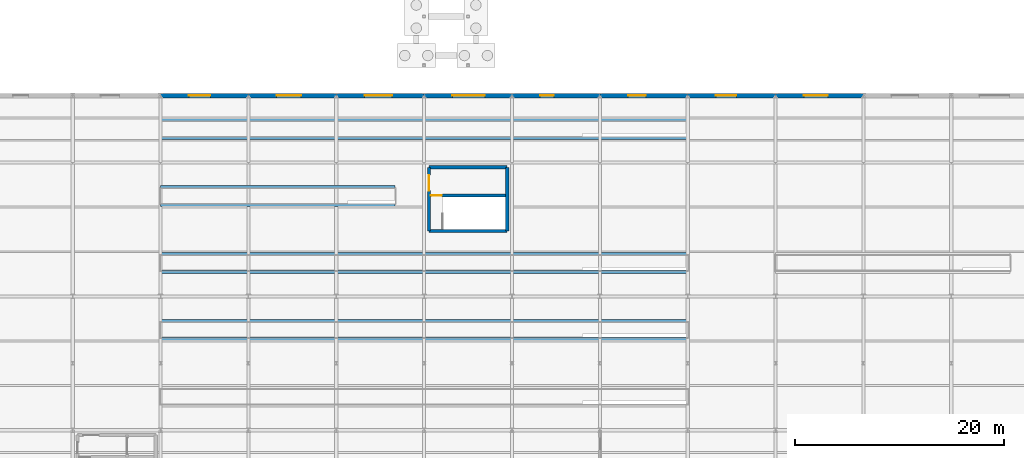
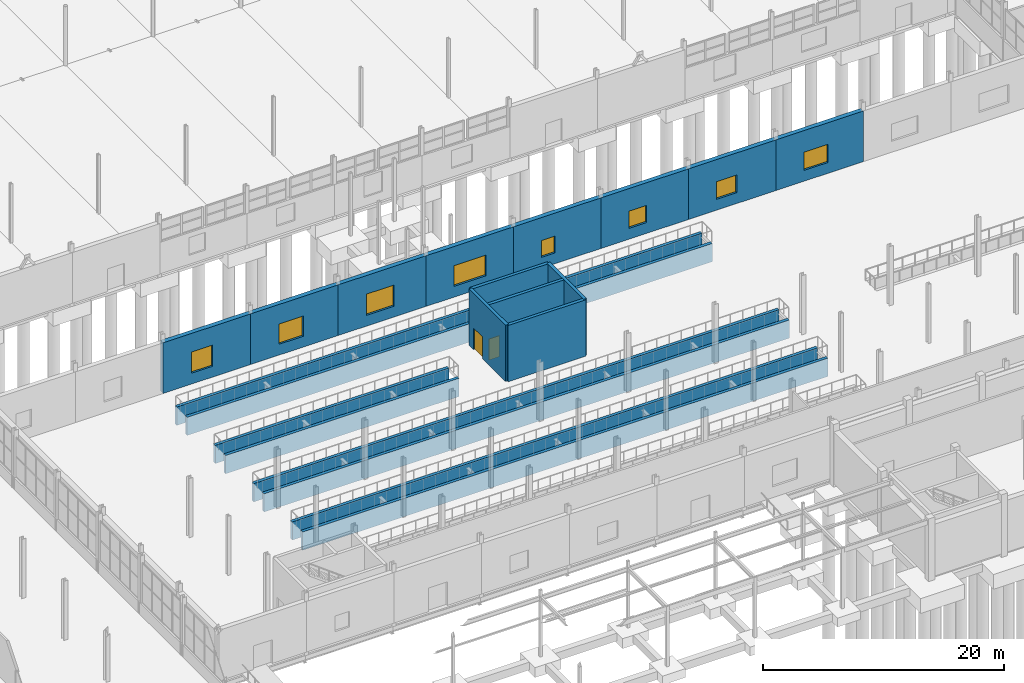
# One storey, part 123 of 139: 21 walls, 8 windows, 2 doors, 10 openings.
"""IFC4 building model written with IfcOpenShell, lengths in metres."""

from ifc_helpers import new_model, si_unit, direction, frame, frame_2d, origin, place, context, subcontext, project, spatial, rectangle, extrude, material, layer, layer_set, type_object, element, fill, save


model = new_model("IFC4")

# Units and contexts
model_context = context("Model", 3, precision=1e-05, world=origin(), true_north=direction((0.0, 1.0)))
body_context = subcontext(model_context, "Body", "Model", "MODEL_VIEW")
ifc_project = project(units=[si_unit("LENGTHUNIT", "METRE"), si_unit("AREAUNIT", "SQUARE_METRE"), si_unit("VOLUMEUNIT", "CUBIC_METRE"), si_unit("PLANEANGLEUNIT", "RADIAN"), si_unit("MASSUNIT", "GRAM", prefix="KILO")], contexts=[model_context])

# Site, building, storey
site_placement = place(None, origin())
site = spatial("IfcSite", under=ifc_project, at=site_placement, CompositionType="ELEMENT")
building_placement = place(site_placement, origin())
building = spatial("IfcBuilding", under=site, at=building_placement, Name="Kazenagashi Tramway Depot", CompositionType="ELEMENT")
storey_placement = place(building_placement, origin())
storey = spatial("IfcBuildingStorey", under=building, at=storey_placement, Name="L01", CompositionType="ELEMENT", Elevation=0.0)

# Wall, opening, window
ifc_material_1 = material(Name="Clay Brick Masonry JIS R 1250 Class 1 (20 MPa)", Category="masonry")
ifc_layer_1 = layer(ifc_material_1, 0.43)
ifc_layer_set_1 = layer_set([ifc_layer_1], Name="Clay Brick Masonry JIS R 1250 Class 1 (20 MPa)")
wall_type_1 = type_object("IfcWallType", Name="W-BK1", PredefinedType="SOLIDWALL", material=ifc_layer_set_1)
wall_1_placement = place(storey_placement, frame((61.6, 54.9, 0.0), z_axis=(0.0, 0.0, 1.0), x_axis=(1.0, 0.0, 0.0)))
wall_1 = element("IfcWall", 1, at=wall_1_placement, inside=storey, type_object=wall_type_1, Name="Exterior Brick Wall W-BK1 EWALL-0105", PredefinedType="SOLIDWALL", context=body_context, shape_type="SweptSolid", body=[
    extrude(rectangle(XDim=8.4, YDim=0.43, at=frame_2d((4.2, 0.0))), origin(), (0.0, 0.0, 1.0), 5.14),
])
opening_1_placement = place(wall_1_placement, frame((2.7, 0.0, 1.1)))
opening_1 = element("IfcOpeningElement", 2, at=opening_1_placement, cuts=wall_1, Name="Opening WN-26", PredefinedType="OPENING", context=body_context, shape_type="SweptSolid", body=[
    extrude(rectangle(XDim=2.05, YDim=2.15, at=frame_2d((1.025, 1.075))), frame((0.0, 0.225, 0.0), z_axis=(0.0, -1.0, 0.0), x_axis=(1.0, 0.0, 0.0)), (0.0, 0.0, 1.0), 0.45),
])
ifc_material_2 = material(Name="Anodised Aluminium and Tempered Low-E Glass", Category="aluminium")
window_type_1 = type_object("IfcWindowType", Name="WN-26", PartitioningType="SINGLE_PANEL", PredefinedType="WINDOW", material=ifc_material_2)
window_1_placement = place(opening_1_placement, origin())
window_1 = element("IfcWindow", 3, at=window_1_placement, inside=storey, type_object=window_type_1, Name="Window WN-26 WIN-0074", OverallHeight=2.15, OverallWidth=2.05, PartitioningType="SINGLE_PANEL", PredefinedType="WINDOW", context=body_context, shape_type="SweptSolid", body=[
    extrude(rectangle(XDim=2.05, YDim=2.15, at=frame_2d((1.025, 1.075))), frame((0.0, 0.03, 0.0), z_axis=(0.0, -1.0, 0.0), x_axis=(1.0, 0.0, 0.0)), (0.0, 0.0, 1.0), 0.06),
])
fill(opening_1, window_1)

wall_2_placement = place(storey_placement, frame((70.0, 54.9, 0.0), z_axis=(0.0, 0.0, 1.0), x_axis=(1.0, 0.0, 0.0)))
wall_2 = element("IfcWall", 4, at=wall_2_placement, inside=storey, type_object=wall_type_1, Name="Exterior Brick Wall W-BK1 EWALL-0107", PredefinedType="SOLIDWALL", context=body_context, shape_type="SweptSolid", body=[
    extrude(rectangle(XDim=8.4, YDim=0.43, at=frame_2d((4.2, 0.0))), origin(), (0.0, 0.0, 1.0), 5.14),
])
opening_2_placement = place(wall_2_placement, frame((2.7, 0.0, 1.1)))
opening_2 = element("IfcOpeningElement", 5, at=opening_2_placement, cuts=wall_2, Name="Opening WN-28", PredefinedType="OPENING", context=body_context, shape_type="SweptSolid", body=[
    extrude(rectangle(XDim=2.35, YDim=2.05, at=frame_2d((1.175, 1.025))), frame((0.0, 0.225, 0.0), z_axis=(0.0, -1.0, 0.0), x_axis=(1.0, 0.0, 0.0)), (0.0, 0.0, 1.0), 0.45),
])
window_type_2 = type_object("IfcWindowType", Name="WN-28", PartitioningType="SINGLE_PANEL", PredefinedType="WINDOW", material=ifc_material_2)
window_2_placement = place(opening_2_placement, origin())
window_2 = element("IfcWindow", 6, at=window_2_placement, inside=storey, type_object=window_type_2, Name="Window WN-28 WIN-0076", OverallHeight=2.05, OverallWidth=2.35, PartitioningType="SINGLE_PANEL", PredefinedType="WINDOW", context=body_context, shape_type="SweptSolid", body=[
    extrude(rectangle(XDim=2.35, YDim=2.05, at=frame_2d((1.175, 1.025))), frame((0.0, 0.03, 0.0), z_axis=(0.0, -1.0, 0.0), x_axis=(1.0, 0.0, 0.0)), (0.0, 0.0, 1.0), 0.06),
])
fill(opening_2, window_2)

wall_3_placement = place(storey_placement, frame((78.4, 54.9, 0.0), z_axis=(0.0, 0.0, 1.0), x_axis=(1.0, 0.0, 0.0)))
wall_3 = element("IfcWall", 7, at=wall_3_placement, inside=storey, type_object=wall_type_1, Name="Exterior Brick Wall W-BK1 EWALL-0109", PredefinedType="SOLIDWALL", context=body_context, shape_type="SweptSolid", body=[
    extrude(rectangle(XDim=8.4, YDim=0.43, at=frame_2d((4.2, 0.0))), origin(), (0.0, 0.0, 1.0), 5.14),
])
opening_3_placement = place(wall_3_placement, frame((2.7, 0.0, 1.1)))
opening_3 = element("IfcOpeningElement", 8, at=opening_3_placement, cuts=wall_3, Name="Opening WN-30", PredefinedType="OPENING", context=body_context, shape_type="SweptSolid", body=[
    extrude(rectangle(XDim=2.65, YDim=2.15, at=frame_2d((1.325, 1.075))), frame((0.0, 0.225, 0.0), z_axis=(0.0, -1.0, 0.0), x_axis=(1.0, 0.0, 0.0)), (0.0, 0.0, 1.0), 0.45),
])
window_type_3 = type_object("IfcWindowType", Name="WN-30", PartitioningType="SINGLE_PANEL", PredefinedType="WINDOW", material=ifc_material_2)
window_3_placement = place(opening_3_placement, origin())
window_3 = element("IfcWindow", 9, at=window_3_placement, inside=storey, type_object=window_type_3, Name="Window WN-30 WIN-0078", OverallHeight=2.15, OverallWidth=2.65, PartitioningType="SINGLE_PANEL", PredefinedType="WINDOW", context=body_context, shape_type="SweptSolid", body=[
    extrude(rectangle(XDim=2.65, YDim=2.15, at=frame_2d((1.325, 1.075))), frame((0.0, 0.03, 0.0), z_axis=(0.0, -1.0, 0.0), x_axis=(1.0, 0.0, 0.0)), (0.0, 0.0, 1.0), 0.06),
])
fill(opening_3, window_3)

wall_4_placement = place(storey_placement, frame((86.8, 54.9, 0.0), z_axis=(0.0, 0.0, 1.0), x_axis=(1.0, 0.0, 0.0)))
wall_4 = element("IfcWall", 10, at=wall_4_placement, inside=storey, type_object=wall_type_1, Name="Exterior Brick Wall W-BK1 EWALL-0111", PredefinedType="SOLIDWALL", context=body_context, shape_type="SweptSolid", body=[
    extrude(rectangle(XDim=8.4, YDim=0.43, at=frame_2d((4.2, 0.0))), origin(), (0.0, 0.0, 1.0), 5.14),
])
opening_4_placement = place(wall_4_placement, frame((2.7, 0.0, 1.1)))
opening_4 = element("IfcOpeningElement", 11, at=opening_4_placement, cuts=wall_4, Name="Opening WN-32", PredefinedType="OPENING", context=body_context, shape_type="SweptSolid", body=[
    extrude(rectangle(XDim=3.1, YDim=2.1, at=frame_2d((1.55, 1.05))), frame((0.0, 0.225, 0.0), z_axis=(0.0, -1.0, 0.0), x_axis=(1.0, 0.0, 0.0)), (0.0, 0.0, 1.0), 0.45),
])
window_type_4 = type_object("IfcWindowType", Name="WN-32", PartitioningType="SINGLE_PANEL", PredefinedType="WINDOW", material=ifc_material_2)
window_4_placement = place(opening_4_placement, origin())
window_4 = element("IfcWindow", 12, at=window_4_placement, inside=storey, type_object=window_type_4, Name="Window WN-32 WIN-0080", OverallHeight=2.1, OverallWidth=3.1, PartitioningType="SINGLE_PANEL", PredefinedType="WINDOW", context=body_context, shape_type="SweptSolid", body=[
    extrude(rectangle(XDim=3.1, YDim=2.1, at=frame_2d((1.55, 1.05))), frame((0.0, 0.03, 0.0), z_axis=(0.0, -1.0, 0.0), x_axis=(1.0, 0.0, 0.0)), (0.0, 0.0, 1.0), 0.06),
])
fill(opening_4, window_4)

wall_5_placement = place(storey_placement, frame((95.2, 54.9, 0.0), z_axis=(0.0, 0.0, 1.0), x_axis=(1.0, 0.0, 0.0)))
wall_5 = element("IfcWall", 13, at=wall_5_placement, inside=storey, type_object=wall_type_1, Name="Exterior Brick Wall W-BK1 EWALL-0113", PredefinedType="SOLIDWALL", context=body_context, shape_type="SweptSolid", body=[
    extrude(rectangle(XDim=8.4, YDim=0.43, at=frame_2d((4.2, 0.0))), origin(), (0.0, 0.0, 1.0), 5.14),
])
opening_5_placement = place(wall_5_placement, frame((2.7, 0.0, 1.1)))
opening_5 = element("IfcOpeningElement", 14, at=opening_5_placement, cuts=wall_5, Name="Opening WN-34", PredefinedType="OPENING", context=body_context, shape_type="SweptSolid", body=[
    extrude(rectangle(XDim=1.3, YDim=1.7, at=frame_2d((0.65, 0.85))), frame((0.0, 0.225, 0.0), z_axis=(0.0, -1.0, 0.0), x_axis=(1.0, 0.0, 0.0)), (0.0, 0.0, 1.0), 0.45),
])
window_type_5 = type_object("IfcWindowType", Name="WN-34", PartitioningType="SINGLE_PANEL", PredefinedType="WINDOW", material=ifc_material_2)
window_5_placement = place(opening_5_placement, origin())
window_5 = element("IfcWindow", 15, at=window_5_placement, inside=storey, type_object=window_type_5, Name="Window WN-34 WIN-0082", OverallHeight=1.7, OverallWidth=1.3, PartitioningType="SINGLE_PANEL", PredefinedType="WINDOW", context=body_context, shape_type="SweptSolid", body=[
    extrude(rectangle(XDim=1.3, YDim=1.7, at=frame_2d((0.65, 0.85))), frame((0.0, 0.03, 0.0), z_axis=(0.0, -1.0, 0.0), x_axis=(1.0, 0.0, 0.0)), (0.0, 0.0, 1.0), 0.06),
])
fill(opening_5, window_5)

wall_6_placement = place(storey_placement, frame((103.6, 54.9, 0.0), z_axis=(0.0, 0.0, 1.0), x_axis=(1.0, 0.0, 0.0)))
wall_6 = element("IfcWall", 16, at=wall_6_placement, inside=storey, type_object=wall_type_1, Name="Exterior Brick Wall W-BK1 EWALL-0115", PredefinedType="SOLIDWALL", context=body_context, shape_type="SweptSolid", body=[
    extrude(rectangle(XDim=8.4, YDim=0.43, at=frame_2d((4.2, 0.0))), origin(), (0.0, 0.0, 1.0), 5.14),
])
opening_6_placement = place(wall_6_placement, frame((2.7, 0.0, 1.1)))
opening_6 = element("IfcOpeningElement", 17, at=opening_6_placement, cuts=wall_6, Name="Opening WN-36", PredefinedType="OPENING", context=body_context, shape_type="SweptSolid", body=[
    extrude(rectangle(XDim=1.7, YDim=1.75, at=frame_2d((0.85, 0.875))), frame((0.0, 0.225, 0.0), z_axis=(0.0, -1.0, 0.0), x_axis=(1.0, 0.0, 0.0)), (0.0, 0.0, 1.0), 0.45),
])
window_type_6 = type_object("IfcWindowType", Name="WN-36", PartitioningType="SINGLE_PANEL", PredefinedType="WINDOW", material=ifc_material_2)
window_6_placement = place(opening_6_placement, origin())
window_6 = element("IfcWindow", 18, at=window_6_placement, inside=storey, type_object=window_type_6, Name="Window WN-36 WIN-0084", OverallHeight=1.75, OverallWidth=1.7, PartitioningType="SINGLE_PANEL", PredefinedType="WINDOW", context=body_context, shape_type="SweptSolid", body=[
    extrude(rectangle(XDim=1.7, YDim=1.75, at=frame_2d((0.85, 0.875))), frame((0.0, 0.03, 0.0), z_axis=(0.0, -1.0, 0.0), x_axis=(1.0, 0.0, 0.0)), (0.0, 0.0, 1.0), 0.06),
])
fill(opening_6, window_6)

wall_7_placement = place(storey_placement, frame((112.0, 54.9, 0.0), z_axis=(0.0, 0.0, 1.0), x_axis=(1.0, 0.0, 0.0)))
wall_7 = element("IfcWall", 19, at=wall_7_placement, inside=storey, type_object=wall_type_1, Name="Exterior Brick Wall W-BK1 EWALL-0117", PredefinedType="SOLIDWALL", context=body_context, shape_type="SweptSolid", body=[
    extrude(rectangle(XDim=8.4, YDim=0.43, at=frame_2d((4.2, 0.0))), origin(), (0.0, 0.0, 1.0), 5.14),
])
opening_7_placement = place(wall_7_placement, frame((2.7, 0.0, 1.1)))
opening_7 = element("IfcOpeningElement", 20, at=opening_7_placement, cuts=wall_7, Name="Opening WN-38", PredefinedType="OPENING", context=body_context, shape_type="SweptSolid", body=[
    extrude(rectangle(XDim=1.95, YDim=1.8, at=frame_2d((0.975, 0.9))), frame((0.0, 0.225, 0.0), z_axis=(0.0, -1.0, 0.0), x_axis=(1.0, 0.0, 0.0)), (0.0, 0.0, 1.0), 0.45),
])
window_type_7 = type_object("IfcWindowType", Name="WN-38", PartitioningType="SINGLE_PANEL", PredefinedType="WINDOW", material=ifc_material_2)
window_7_placement = place(opening_7_placement, origin())
window_7 = element("IfcWindow", 21, at=window_7_placement, inside=storey, type_object=window_type_7, Name="Window WN-38 WIN-0086", OverallHeight=1.8, OverallWidth=1.95, PartitioningType="SINGLE_PANEL", PredefinedType="WINDOW", context=body_context, shape_type="SweptSolid", body=[
    extrude(rectangle(XDim=1.95, YDim=1.8, at=frame_2d((0.975, 0.9))), frame((0.0, 0.03, 0.0), z_axis=(0.0, -1.0, 0.0), x_axis=(1.0, 0.0, 0.0)), (0.0, 0.0, 1.0), 0.06),
])
fill(opening_7, window_7)

wall_8_placement = place(storey_placement, frame((120.4, 54.9, 0.0), z_axis=(0.0, 0.0, 1.0), x_axis=(1.0, 0.0, 0.0)))
wall_8 = element("IfcWall", 22, at=wall_8_placement, inside=storey, type_object=wall_type_1, Name="Exterior Brick Wall W-BK1 EWALL-0119", PredefinedType="SOLIDWALL", context=body_context, shape_type="SweptSolid", body=[
    extrude(rectangle(XDim=8.4, YDim=0.43, at=frame_2d((4.2, 0.0))), origin(), (0.0, 0.0, 1.0), 5.14),
])
opening_8_placement = place(wall_8_placement, frame((2.7, 0.0, 1.1)))
opening_8 = element("IfcOpeningElement", 23, at=opening_8_placement, cuts=wall_8, Name="Opening WN-40", PredefinedType="OPENING", context=body_context, shape_type="SweptSolid", body=[
    extrude(rectangle(XDim=2.3, YDim=1.85, at=frame_2d((1.15, 0.925))), frame((0.0, 0.225, 0.0), z_axis=(0.0, -1.0, 0.0), x_axis=(1.0, 0.0, 0.0)), (0.0, 0.0, 1.0), 0.45),
])
window_type_8 = type_object("IfcWindowType", Name="WN-40", PartitioningType="SINGLE_PANEL", PredefinedType="WINDOW", material=ifc_material_2)
window_8_placement = place(opening_8_placement, origin())
window_8 = element("IfcWindow", 24, at=window_8_placement, inside=storey, type_object=window_type_8, Name="Window WN-40 WIN-0088", OverallHeight=1.85, OverallWidth=2.3, PartitioningType="SINGLE_PANEL", PredefinedType="WINDOW", context=body_context, shape_type="SweptSolid", body=[
    extrude(rectangle(XDim=2.3, YDim=1.85, at=frame_2d((1.15, 0.925))), frame((0.0, 0.03, 0.0), z_axis=(0.0, -1.0, 0.0), x_axis=(1.0, 0.0, 0.0)), (0.0, 0.0, 1.0), 0.06),
])
fill(opening_8, window_8)

# Walls
ifc_material_3 = material(Name="Concrete Fc36", Category="concrete")
ifc_layer_2 = layer(ifc_material_3, 0.3)
ifc_layer_set_2 = layer_set([ifc_layer_2], Name="Concrete Fc36")
wall_type_2 = type_object("IfcWallType", Name="W-RC1", PredefinedType="SHEAR", material=ifc_layer_set_2)
for number, where, z_axis, x_axis, name in (
    (25, (61.6, 31.65, -1.85), (0.0, 0.0, 1.0), (1.0, 0.0, 0.0), "Core Shear Wall W-RC1 IWALL-0003"),
    (26, (61.6, 33.35, -1.85), (0.0, 0.0, 1.0), (1.0, 0.0, 0.0), "Core Shear Wall W-RC1 IWALL-0004"),
    (27, (61.6, 38.05, -1.85), (0.0, 0.0, 1.0), (1.0, 0.0, 0.0), "Core Shear Wall W-RC1 IWALL-0005"),
    (28, (61.6, 39.75, -1.85), (0.0, 0.0, 1.0), (1.0, 0.0, 0.0), "Core Shear Wall W-RC1 IWALL-0006"),
):
    element("IfcWall", number, at=place(storey_placement, frame(where, z_axis=z_axis, x_axis=x_axis)), inside=storey, type_object=wall_type_2, Name=name, PredefinedType="SHEAR", context=body_context, shape_type="SweptSolid", body=[
        extrude(rectangle(XDim=50.4, YDim=0.3, at=frame_2d((25.2, 0.0))), origin(), (0.0, 0.0, 1.0), 1.85),
    ])
for number, where, z_axis, x_axis, name in (
    (29, (61.6, 44.45, -1.85), (0.0, 0.0, 1.0), (1.0, 0.0, 0.0), "Core Shear Wall W-RC1 IWALL-0007"),
    (30, (61.6, 46.15, -1.85), (0.0, 0.0, 1.0), (1.0, 0.0, 0.0), "Core Shear Wall W-RC1 IWALL-0008"),
):
    element("IfcWall", number, at=place(storey_placement, frame(where, z_axis=z_axis, x_axis=x_axis)), inside=storey, type_object=wall_type_2, Name=name, PredefinedType="SHEAR", context=body_context, shape_type="SweptSolid", body=[
        extrude(rectangle(XDim=22.4, YDim=0.3, at=frame_2d((11.2, 0.0))), origin(), (0.0, 0.0, 1.0), 1.85),
    ])
for number, where, z_axis, x_axis, name in (
    (31, (61.6, 50.85, -1.85), (0.0, 0.0, 1.0), (1.0, 0.0, 0.0), "Core Shear Wall W-RC1 IWALL-0009"),
    (32, (61.6, 52.55, -1.85), (0.0, 0.0, 1.0), (1.0, 0.0, 0.0), "Core Shear Wall W-RC1 IWALL-0010"),
):
    element("IfcWall", number, at=place(storey_placement, frame(where, z_axis=z_axis, x_axis=x_axis)), inside=storey, type_object=wall_type_2, Name=name, PredefinedType="SHEAR", context=body_context, shape_type="SweptSolid", body=[
        extrude(rectangle(XDim=50.4, YDim=0.3, at=frame_2d((25.2, 0.0))), origin(), (0.0, 0.0, 1.0), 1.85),
    ])
for number, where, z_axis, x_axis, name in (
    (33, (87.26, 41.96, 0.0), (0.0, 0.0, 1.0), (1.0, 0.0, 0.0), "Core Shear Wall W-RC1 IWALL-0176"),
    (34, (87.26, 48.04, 0.0), (0.0, 0.0, 1.0), (1.0, 0.0, 0.0), "Core Shear Wall W-RC1 IWALL-0177"),
):
    element("IfcWall", number, at=place(storey_placement, frame(where, z_axis=z_axis, x_axis=x_axis)), inside=storey, type_object=wall_type_2, Name=name, PredefinedType="SHEAR", context=body_context, shape_type="SweptSolid", body=[
        extrude(rectangle(XDim=7.48, YDim=0.3, at=frame_2d((3.74, 0.0))), origin(), (0.0, 0.0, 1.0), 5.72),
    ])

# Wall, opening, door
wall_9_placement = place(storey_placement, frame((87.26, 41.96, 0.0), z_axis=(0.0, 0.0, 1.0), x_axis=(0.0, 1.0, 0.0)))
wall_9 = element("IfcWall", 35, at=wall_9_placement, inside=storey, type_object=wall_type_2, Name="Core Shear Wall W-RC1 IWALL-0178", PredefinedType="SHEAR", context=body_context, shape_type="SweptSolid", body=[
    extrude(rectangle(XDim=6.08, YDim=0.3, at=frame_2d((3.04, 0.0))), origin(), (0.0, 0.0, 1.0), 5.72),
])
opening_9_placement = place(wall_9_placement, frame((3.84, 0.0, 0.0)))
opening_9 = element("IfcOpeningElement", 36, at=opening_9_placement, cuts=wall_9, Name="Opening D-109", PredefinedType="OPENING", context=body_context, shape_type="SweptSolid", body=[
    extrude(rectangle(XDim=1.5, YDim=2.2, at=frame_2d((0.75, 1.1))), frame((0.0, 0.16, 0.0), z_axis=(0.0, -1.0, 0.0), x_axis=(1.0, 0.0, 0.0)), (0.0, 0.0, 1.0), 0.32),
])
ifc_material_4 = material(Name="Galvanised Fire-Rated Steel Door", Category="steel")
door_type_1 = type_object("IfcDoorType", Name="DT-05", OperationType="NOTDEFINED", PredefinedType="DOOR", material=ifc_material_4)
door_1_placement = place(opening_9_placement, origin())
door_1 = element("IfcDoor", 37, at=door_1_placement, inside=storey, type_object=door_type_1, Name="Interior Door D-109", OperationType="DOUBLE_DOOR_SINGLE_SWING", OverallHeight=2.2, OverallWidth=1.5, PredefinedType="DOOR", context=body_context, shape_type="SweptSolid", body=[
    extrude(rectangle(XDim=1.5, YDim=2.2, at=frame_2d((0.75, 1.1))), frame((0.0, 0.025, 0.0), z_axis=(0.0, -1.0, 0.0), x_axis=(1.0, 0.0, 0.0)), (0.0, 0.0, 1.0), 0.05),
])
fill(opening_9, door_1)

# Wall
wall_10_placement = place(storey_placement, frame((94.74, 41.96, 0.0), z_axis=(0.0, 0.0, 1.0), x_axis=(0.0, 1.0, 0.0)))
element("IfcWall", 38, at=wall_10_placement, inside=storey, type_object=wall_type_2, Name="Core Shear Wall W-RC1 IWALL-0179", PredefinedType="SHEAR", context=body_context, shape_type="SweptSolid", body=[
    extrude(rectangle(XDim=6.08, YDim=0.3, at=frame_2d((3.04, 0.0))), origin(), (0.0, 0.0, 1.0), 5.72),
])

# Wall, opening, door
wall_11_placement = place(storey_placement, frame((87.26, 45.35, 0.0), z_axis=(0.0, 0.0, 1.0), x_axis=(1.0, 0.0, 0.0)))
wall_11 = element("IfcWall", 39, at=wall_11_placement, inside=storey, type_object=wall_type_2, Name="Core Shear Wall W-RC1 IWALL-0180", PredefinedType="SHEAR", context=body_context, shape_type="SweptSolid", body=[
    extrude(rectangle(XDim=7.48, YDim=0.3, at=frame_2d((3.74, 0.0))), origin(), (0.0, 0.0, 1.0), 5.72),
])
opening_10_placement = place(wall_11_placement, frame((0.185, 0.0, 0.0)))
opening_10 = element("IfcOpeningElement", 40, at=opening_10_placement, cuts=wall_11, Name="Opening D-108", PredefinedType="OPENING", context=body_context, shape_type="SweptSolid", body=[
    extrude(rectangle(XDim=1.05, YDim=2.15, at=frame_2d((0.525, 1.075))), frame((0.0, 0.16, 0.0), z_axis=(0.0, -1.0, 0.0), x_axis=(1.0, 0.0, 0.0)), (0.0, 0.0, 1.0), 0.32),
])
door_type_2 = type_object("IfcDoorType", Name="DT-07", OperationType="NOTDEFINED", PredefinedType="DOOR", material=ifc_material_4)
door_2_placement = place(opening_10_placement, origin())
door_2 = element("IfcDoor", 41, at=door_2_placement, inside=storey, type_object=door_type_2, Name="Interior Door D-108", OperationType="SINGLE_SWING_LEFT", OverallHeight=2.15, OverallWidth=1.05, PredefinedType="DOOR", context=body_context, shape_type="SweptSolid", body=[
    extrude(rectangle(XDim=1.05, YDim=2.15, at=frame_2d((0.525, 1.075))), frame((0.0, 0.025, 0.0), z_axis=(0.0, -1.0, 0.0), x_axis=(1.0, 0.0, 0.0)), (0.0, 0.0, 1.0), 0.05),
])
fill(opening_10, door_2)

save(model, "model.ifc")
